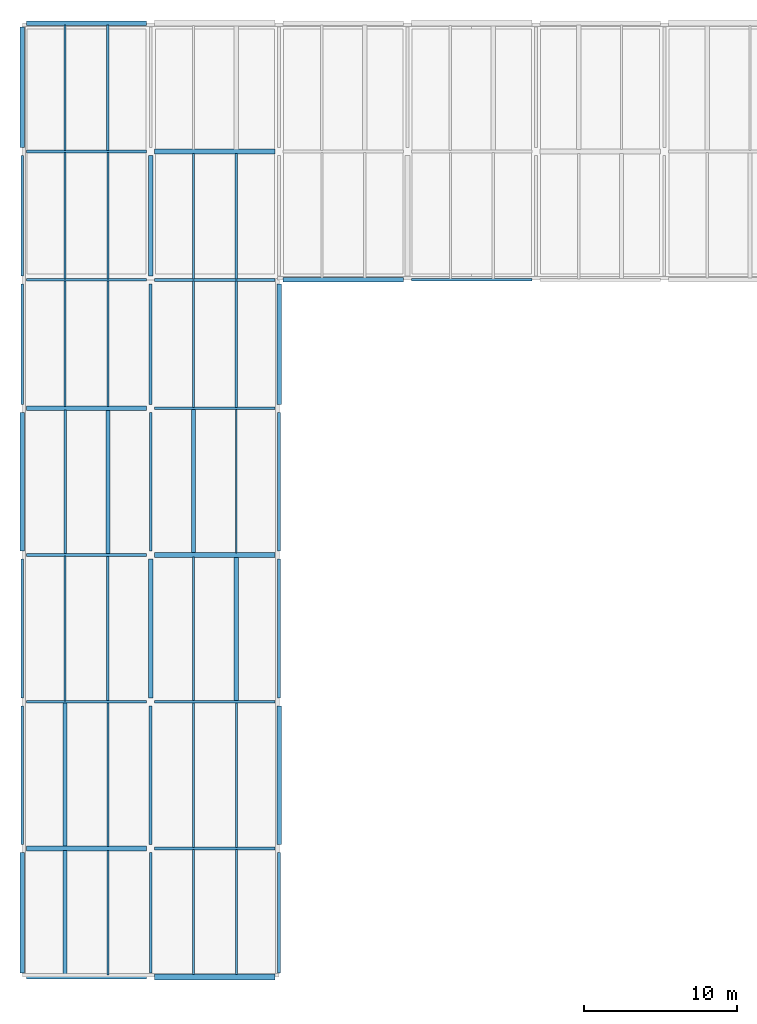
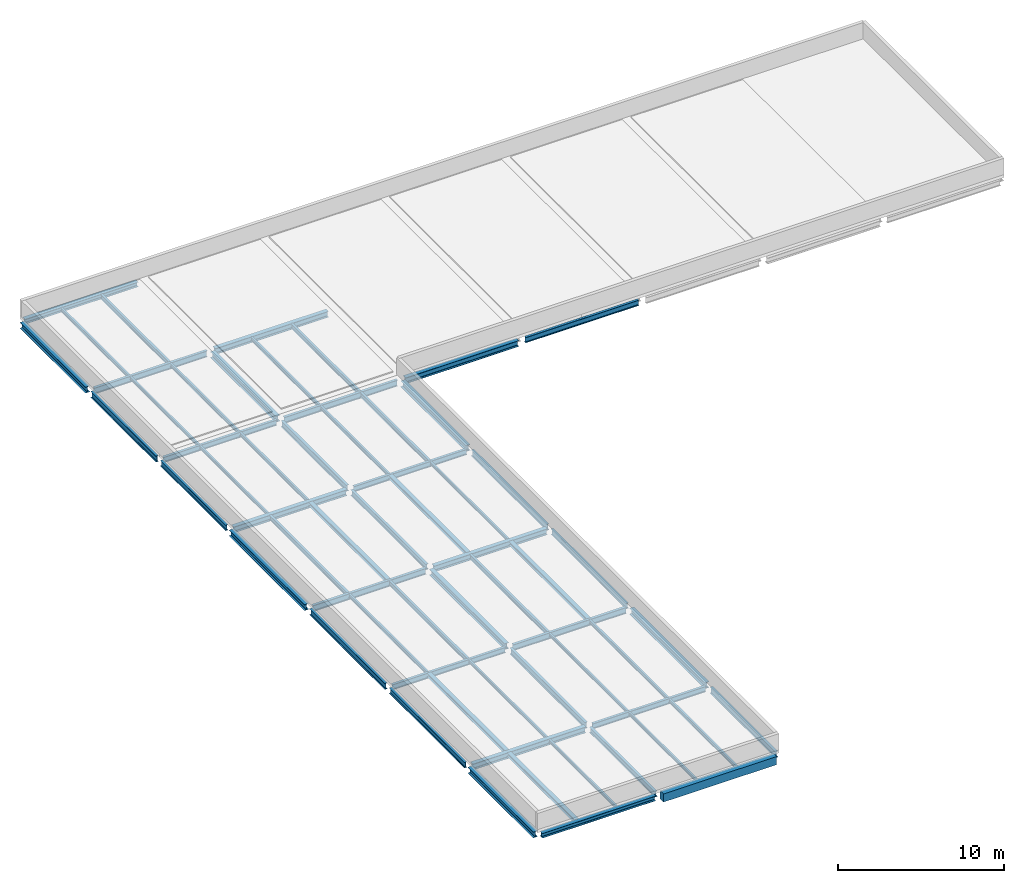
# One storey, part 1 of 3: 61 beams.
"""IFC4 building model written with IfcOpenShell, lengths in metres."""

from ifc_helpers import new_model, si_unit, direction, frame, origin, origin_2d, place, context, subcontext, project, spatial, rectangle, i_section, extrude, material, material_profile, profile_set, type_object, element, save


model = new_model("IFC4")

# Units and contexts
model_context = context("Model", 3, precision=1e-05, world=origin(), true_north=direction((0.0, 1.0)))
body_context = subcontext(model_context, "Body", "Model", "MODEL_VIEW")
ifc_project = project(units=[si_unit("LENGTHUNIT", "METRE"), si_unit("AREAUNIT", "SQUARE_METRE"), si_unit("VOLUMEUNIT", "CUBIC_METRE"), si_unit("PLANEANGLEUNIT", "RADIAN"), si_unit("MASSUNIT", "GRAM", prefix="KILO")], contexts=[model_context])

# Site, building, storey
site_placement = place(None, origin())
site = spatial("IfcSite", under=ifc_project, at=site_placement, CompositionType="ELEMENT")
building_placement = place(site_placement, origin())
building = spatial("IfcBuilding", under=site, at=building_placement, Name="Zulmaris Art Gallery", CompositionType="ELEMENT")
storey_placement = place(building_placement, frame((0.0, 0.0, 30.89990234375)))
storey = spatial("IfcBuildingStorey", under=building, at=storey_placement, Name="RF", CompositionType="ELEMENT", Elevation=30.89990234375)

# Beams
ifc_material_1 = material(Name="Steel S355J2", Category="steel")
ifc_material_profile_1 = material_profile(ifc_material_1, i_section(OverallWidth=0.179931640625, OverallDepth=0.39990234375, WebThickness=0.008544921875, FlangeThickness=0.013427734375, FilletRadius=0.02099609375, at=origin_2d()), Name="IPE 400")
ifc_profile_set_1 = profile_set([ifc_material_profile_1], Name="Steel S355J2")
beam_type_1 = type_object("IfcBeamType", Name="BEAM-BM03", PredefinedType="BEAM", material=ifc_profile_set_1)
for number, where, z_axis, x_axis, name in (
    (1, (150.260009765625, 21.60009765625, -0.489990234375), (1.0, 0.0, 0.0), (0.0, 1.0, 0.0), "RF X-girder (150.0..158.4, y=21.6)"),
    (2, (141.860107421875, 31.199951171875, -0.489990234375), (1.0, 0.0, 0.0), (0.0, 1.0, 0.0), "RF X-girder (141.6..150.0, y=31.2)"),
    (3, (150.260009765625, 50.39990234375, -0.489990234375), (1.0, 0.0, 0.0), (0.0, 1.0, 0.0), "RF X-girder (150.0..158.4, y=50.4)"),
    (4, (141.860107421875, 58.800048828125, -0.489990234375), (1.0, 0.0, 0.0), (0.0, 1.0, 0.0), "RF X-girder (141.6..150.0, y=58.8)"),
    (5, (167.06005859375, 58.800048828125, -0.489990234375), (1.0, 0.0, 0.0), (0.0, 1.0, 0.0), "RF X-girder (166.8..175.2, y=58.8)"),
):
    element("IfcBeam", number, at=place(storey_placement, frame(where, z_axis=z_axis, x_axis=x_axis)), inside=storey, type_object=beam_type_1, Name=name, PredefinedType="BEAM", context=body_context, shape_type="SweptSolid", body=[
        extrude(i_section(OverallWidth=0.179931640625, OverallDepth=0.39990234375, WebThickness=0.008544921875, FlangeThickness=0.013427734375, FilletRadius=0.02099609375, at=origin_2d()), origin(), (0.0, 0.0, 1.0), 7.8798828125),
    ])
beam_1_placement = place(storey_placement, frame((141.60009765625, 21.860107421875, -0.489990234375), z_axis=(0.0, 1.0, 0.0), x_axis=(-1.0, 0.0, 0.0)))
element("IfcBeam", 6, at=beam_1_placement, inside=storey, type_object=beam_type_1, Name="RF Y-girder (x=141.6, 21.6..31.2)", PredefinedType="BEAM", context=body_context, shape_type="SweptSolid", body=[
    extrude(i_section(OverallWidth=0.179931640625, OverallDepth=0.39990234375, WebThickness=0.008544921875, FlangeThickness=0.013427734375, FilletRadius=0.02099609375, at=origin_2d()), origin(), (0.0, 0.0, 1.0), 9.079833984375),
])
for number, where, z_axis, x_axis, name in (
    (7, (141.60009765625, 50.659912109375, -0.489990234375), (0.0, 1.0, 0.0), (-1.0, 0.0, 0.0), "RF Y-girder (x=141.6, 50.4..58.8)"),
    (8, (150.0, 13.4599609375, -0.489990234375), (0.0, 1.0, 0.0), (-1.0, 0.0, 0.0), "RF Y-girder (x=150.0, 13.2..21.6)"),
):
    element("IfcBeam", number, at=place(storey_placement, frame(where, z_axis=z_axis, x_axis=x_axis)), inside=storey, type_object=beam_type_1, Name=name, PredefinedType="BEAM", context=body_context, shape_type="SweptSolid", body=[
        extrude(i_section(OverallWidth=0.179931640625, OverallDepth=0.39990234375, WebThickness=0.008544921875, FlangeThickness=0.013427734375, FilletRadius=0.02099609375, at=origin_2d()), origin(), (0.0, 0.0, 1.0), 7.880126953125),
    ])
beam_2_placement = place(storey_placement, frame((150.0, 41.06005859375, -0.489990234375), z_axis=(0.0, 1.0, 0.0), x_axis=(-1.0, 0.0, 0.0)))
element("IfcBeam", 9, at=beam_2_placement, inside=storey, type_object=beam_type_1, Name="RF Y-girder (x=150.0, 40.8..50.4)", PredefinedType="BEAM", context=body_context, shape_type="SweptSolid", body=[
    extrude(i_section(OverallWidth=0.179931640625, OverallDepth=0.39990234375, WebThickness=0.008544921875, FlangeThickness=0.013427734375, FilletRadius=0.02099609375, at=origin_2d()), origin(), (0.0, 0.0, 1.0), 9.079833984375),
])
beam_3_placement = place(storey_placement, frame((158.39990234375, 31.4599609375, -0.489990234375), z_axis=(0.0, 1.0, 0.0), x_axis=(-1.0, 0.0, 0.0)))
element("IfcBeam", 10, at=beam_3_placement, inside=storey, type_object=beam_type_1, Name="RF Y-girder (x=158.4, 31.2..40.8)", PredefinedType="BEAM", context=body_context, shape_type="SweptSolid", body=[
    extrude(i_section(OverallWidth=0.179931640625, OverallDepth=0.39990234375, WebThickness=0.008544921875, FlangeThickness=0.013427734375, FilletRadius=0.02099609375, at=origin_2d()), origin(), (0.0, 0.0, 1.0), 9.080078125),
])
ifc_material_profile_2 = material_profile(ifc_material_1, i_section(OverallWidth=0.18994140625, OverallDepth=0.449951171875, WebThickness=0.009521484375, FlangeThickness=0.0146484375, FilletRadius=0.02099609375, at=origin_2d()), Name="IPE 450")
ifc_profile_set_2 = profile_set([ifc_material_profile_2], Name="Steel S355J2")
beam_type_2 = type_object("IfcBeamType", Name="BEAM-BM04", PredefinedType="BEAM", material=ifc_profile_set_2)
for number, where, z_axis, x_axis, name in (
    (11, (150.260009765625, 31.199951171875, -0.514892578125), (1.0, 0.0, 0.0), (0.0, 1.0, 0.0), "RF X-girder (150.0..158.4, y=31.2)"),
    (12, (141.860107421875, 40.800048828125, -0.514892578125), (1.0, 0.0, 0.0), (0.0, 1.0, 0.0), "RF X-girder (141.6..150.0, y=40.8)"),
    (13, (150.260009765625, 58.800048828125, -0.514892578125), (1.0, 0.0, 0.0), (0.0, 1.0, 0.0), "RF X-girder (150.0..158.4, y=58.8)"),
    (14, (141.860107421875, 67.199951171875, -0.514892578125), (1.0, 0.0, 0.0), (0.0, 1.0, 0.0), "RF X-girder (141.6..150.0, y=67.2)"),
):
    element("IfcBeam", number, at=place(storey_placement, frame(where, z_axis=z_axis, x_axis=x_axis)), inside=storey, type_object=beam_type_2, Name=name, PredefinedType="BEAM", context=body_context, shape_type="SweptSolid", body=[
        extrude(i_section(OverallWidth=0.18994140625, OverallDepth=0.449951171875, WebThickness=0.009521484375, FlangeThickness=0.0146484375, FilletRadius=0.02099609375, at=origin_2d()), origin(), (0.0, 0.0, 1.0), 7.8798828125),
    ])
beam_4_placement = place(storey_placement, frame((141.60009765625, 31.4599609375, -0.514892578125), z_axis=(0.0, 1.0, 0.0), x_axis=(-1.0, 0.0, 0.0)))
element("IfcBeam", 15, at=beam_4_placement, inside=storey, type_object=beam_type_2, Name="RF Y-girder (x=141.6, 31.2..40.8)", PredefinedType="BEAM", context=body_context, shape_type="SweptSolid", body=[
    extrude(i_section(OverallWidth=0.18994140625, OverallDepth=0.449951171875, WebThickness=0.009521484375, FlangeThickness=0.0146484375, FilletRadius=0.02099609375, at=origin_2d()), origin(), (0.0, 0.0, 1.0), 9.080078125),
])
beam_5_placement = place(storey_placement, frame((141.60009765625, 59.06005859375, -0.514892578125), z_axis=(0.0, 1.0, 0.0), x_axis=(-1.0, 0.0, 0.0)))
element("IfcBeam", 16, at=beam_5_placement, inside=storey, type_object=beam_type_2, Name="RF Y-girder (x=141.6, 58.8..67.2)", PredefinedType="BEAM", context=body_context, shape_type="SweptSolid", body=[
    extrude(i_section(OverallWidth=0.18994140625, OverallDepth=0.449951171875, WebThickness=0.009521484375, FlangeThickness=0.0146484375, FilletRadius=0.02099609375, at=origin_2d()), origin(), (0.0, 0.0, 1.0), 7.8798828125),
])
beam_6_placement = place(storey_placement, frame((150.0, 21.860107421875, -0.514892578125), z_axis=(0.0, 1.0, 0.0), x_axis=(-1.0, 0.0, 0.0)))
element("IfcBeam", 17, at=beam_6_placement, inside=storey, type_object=beam_type_2, Name="RF Y-girder (x=150.0, 21.6..31.2)", PredefinedType="BEAM", context=body_context, shape_type="SweptSolid", body=[
    extrude(i_section(OverallWidth=0.18994140625, OverallDepth=0.449951171875, WebThickness=0.009521484375, FlangeThickness=0.0146484375, FilletRadius=0.02099609375, at=origin_2d()), origin(), (0.0, 0.0, 1.0), 9.079833984375),
])
for number, where, z_axis, x_axis, name in (
    (18, (150.0, 50.659912109375, -0.514892578125), (0.0, 1.0, 0.0), (-1.0, 0.0, 0.0), "RF Y-girder (x=150.0, 50.4..58.8)"),
    (19, (158.39990234375, 13.4599609375, -0.514892578125), (0.0, 1.0, 0.0), (-1.0, 0.0, 0.0), "RF Y-girder (x=158.4, 13.2..21.6)"),
):
    element("IfcBeam", number, at=place(storey_placement, frame(where, z_axis=z_axis, x_axis=x_axis)), inside=storey, type_object=beam_type_2, Name=name, PredefinedType="BEAM", context=body_context, shape_type="SweptSolid", body=[
        extrude(i_section(OverallWidth=0.18994140625, OverallDepth=0.449951171875, WebThickness=0.009521484375, FlangeThickness=0.0146484375, FilletRadius=0.02099609375, at=origin_2d()), origin(), (0.0, 0.0, 1.0), 7.880126953125),
    ])
beam_7_placement = place(storey_placement, frame((158.39990234375, 41.06005859375, -0.514892578125), z_axis=(0.0, 1.0, 0.0), x_axis=(-1.0, 0.0, 0.0)))
element("IfcBeam", 20, at=beam_7_placement, inside=storey, type_object=beam_type_2, Name="RF Y-girder (x=158.4, 40.8..50.4)", PredefinedType="BEAM", context=body_context, shape_type="SweptSolid", body=[
    extrude(i_section(OverallWidth=0.18994140625, OverallDepth=0.449951171875, WebThickness=0.009521484375, FlangeThickness=0.0146484375, FilletRadius=0.02099609375, at=origin_2d()), origin(), (0.0, 0.0, 1.0), 9.079833984375),
])
ifc_material_profile_3 = material_profile(ifc_material_1, i_section(OverallWidth=0.300048828125, OverallDepth=0.43994140625, WebThickness=0.011474609375, FlangeThickness=0.02099609375, FilletRadius=0.027099609375, at=origin_2d()), Name="HEA 450")
ifc_profile_set_3 = profile_set([ifc_material_profile_3], Name="Steel S355J2")
beam_type_3 = type_object("IfcBeamType", Name="BEAM-BM10", PredefinedType="BEAM", material=ifc_profile_set_3)
for number, where, z_axis, x_axis, name in (
    (21, (141.860107421875, 21.60009765625, -0.510009765625), (1.0, 0.0, 0.0), (0.0, 1.0, 0.0), "RF X-girder (141.6..150.0, y=21.6)"),
    (22, (150.260009765625, 40.800048828125, -0.510009765625), (1.0, 0.0, 0.0), (0.0, 1.0, 0.0), "RF X-girder (150.0..158.4, y=40.8)"),
    (23, (141.860107421875, 50.39990234375, -0.510009765625), (1.0, 0.0, 0.0), (0.0, 1.0, 0.0), "RF X-girder (141.6..150.0, y=50.4)"),
):
    element("IfcBeam", number, at=place(storey_placement, frame(where, z_axis=z_axis, x_axis=x_axis)), inside=storey, type_object=beam_type_3, Name=name, PredefinedType="BEAM", context=body_context, shape_type="SweptSolid", body=[
        extrude(i_section(OverallWidth=0.300048828125, OverallDepth=0.43994140625, WebThickness=0.011474609375, FlangeThickness=0.02099609375, FilletRadius=0.027099609375, at=origin_2d()), origin(), (0.0, 0.0, 1.0), 7.8798828125),
    ])
beam_8_placement = place(storey_placement, frame((158.659912109375, 58.800048828125, -0.510009765625), z_axis=(1.0, 0.0, 0.0), x_axis=(0.0, 1.0, 0.0)))
element("IfcBeam", 24, at=beam_8_placement, inside=storey, type_object=beam_type_3, Name="RF X-girder (158.4..166.8, y=58.8)", PredefinedType="BEAM", context=body_context, shape_type="SweptSolid", body=[
    extrude(i_section(OverallWidth=0.300048828125, OverallDepth=0.43994140625, WebThickness=0.011474609375, FlangeThickness=0.02099609375, FilletRadius=0.027099609375, at=origin_2d()), origin(), (0.0, 0.0, 1.0), 7.880126953125),
])
beam_9_placement = place(storey_placement, frame((150.260009765625, 67.199951171875, -0.510009765625), z_axis=(1.0, 0.0, 0.0), x_axis=(0.0, 1.0, 0.0)))
element("IfcBeam", 25, at=beam_9_placement, inside=storey, type_object=beam_type_3, Name="RF X-girder (150.0..158.4, y=67.2)", PredefinedType="BEAM", context=body_context, shape_type="SweptSolid", body=[
    extrude(i_section(OverallWidth=0.300048828125, OverallDepth=0.43994140625, WebThickness=0.011474609375, FlangeThickness=0.02099609375, FilletRadius=0.027099609375, at=origin_2d()), origin(), (0.0, 0.0, 1.0), 7.8798828125),
])
beam_10_placement = place(storey_placement, frame((141.60009765625, 13.4599609375, -0.510009765625), z_axis=(0.0, 1.0, 0.0), x_axis=(-1.0, 0.0, 0.0)))
element("IfcBeam", 26, at=beam_10_placement, inside=storey, type_object=beam_type_3, Name="RF Y-girder (x=141.6, 13.2..21.6)", PredefinedType="BEAM", context=body_context, shape_type="SweptSolid", body=[
    extrude(i_section(OverallWidth=0.300048828125, OverallDepth=0.43994140625, WebThickness=0.011474609375, FlangeThickness=0.02099609375, FilletRadius=0.027099609375, at=origin_2d()), origin(), (0.0, 0.0, 1.0), 7.880126953125),
])
beam_11_placement = place(storey_placement, frame((141.60009765625, 41.06005859375, -0.510009765625), z_axis=(0.0, 1.0, 0.0), x_axis=(-1.0, 0.0, 0.0)))
element("IfcBeam", 27, at=beam_11_placement, inside=storey, type_object=beam_type_3, Name="RF Y-girder (x=141.6, 40.8..50.4)", PredefinedType="BEAM", context=body_context, shape_type="SweptSolid", body=[
    extrude(i_section(OverallWidth=0.300048828125, OverallDepth=0.43994140625, WebThickness=0.011474609375, FlangeThickness=0.02099609375, FilletRadius=0.027099609375, at=origin_2d()), origin(), (0.0, 0.0, 1.0), 9.079833984375),
])
beam_12_placement = place(storey_placement, frame((141.60009765625, 67.4599609375, -0.510009765625), z_axis=(0.0, 1.0, 0.0), x_axis=(-1.0, 0.0, 0.0)))
element("IfcBeam", 28, at=beam_12_placement, inside=storey, type_object=beam_type_3, Name="RF Y-girder (x=141.6, 67.2..75.6)", PredefinedType="BEAM", context=body_context, shape_type="SweptSolid", body=[
    extrude(i_section(OverallWidth=0.300048828125, OverallDepth=0.43994140625, WebThickness=0.011474609375, FlangeThickness=0.02099609375, FilletRadius=0.027099609375, at=origin_2d()), origin(), (0.0, 0.0, 1.0), 7.880126953125),
])
beam_13_placement = place(storey_placement, frame((150.0, 31.4599609375, -0.510009765625), z_axis=(0.0, 1.0, 0.0), x_axis=(-1.0, 0.0, 0.0)))
element("IfcBeam", 29, at=beam_13_placement, inside=storey, type_object=beam_type_3, Name="RF Y-girder (x=150.0, 31.2..40.8)", PredefinedType="BEAM", context=body_context, shape_type="SweptSolid", body=[
    extrude(i_section(OverallWidth=0.300048828125, OverallDepth=0.43994140625, WebThickness=0.011474609375, FlangeThickness=0.02099609375, FilletRadius=0.027099609375, at=origin_2d()), origin(), (0.0, 0.0, 1.0), 9.080078125),
])
beam_14_placement = place(storey_placement, frame((150.0, 59.06005859375, -0.510009765625), z_axis=(0.0, 1.0, 0.0), x_axis=(-1.0, 0.0, 0.0)))
element("IfcBeam", 30, at=beam_14_placement, inside=storey, type_object=beam_type_3, Name="RF Y-girder (x=150.0, 58.8..67.2)", PredefinedType="BEAM", context=body_context, shape_type="SweptSolid", body=[
    extrude(i_section(OverallWidth=0.300048828125, OverallDepth=0.43994140625, WebThickness=0.011474609375, FlangeThickness=0.02099609375, FilletRadius=0.027099609375, at=origin_2d()), origin(), (0.0, 0.0, 1.0), 7.8798828125),
])
beam_15_placement = place(storey_placement, frame((158.39990234375, 21.860107421875, -0.510009765625), z_axis=(0.0, 1.0, 0.0), x_axis=(-1.0, 0.0, 0.0)))
element("IfcBeam", 31, at=beam_15_placement, inside=storey, type_object=beam_type_3, Name="RF Y-girder (x=158.4, 21.6..31.2)", PredefinedType="BEAM", context=body_context, shape_type="SweptSolid", body=[
    extrude(i_section(OverallWidth=0.300048828125, OverallDepth=0.43994140625, WebThickness=0.011474609375, FlangeThickness=0.02099609375, FilletRadius=0.027099609375, at=origin_2d()), origin(), (0.0, 0.0, 1.0), 9.079833984375),
])
beam_16_placement = place(storey_placement, frame((158.39990234375, 50.659912109375, -0.510009765625), z_axis=(0.0, 1.0, 0.0), x_axis=(-1.0, 0.0, 0.0)))
element("IfcBeam", 32, at=beam_16_placement, inside=storey, type_object=beam_type_3, Name="RF Y-girder (x=158.4, 50.4..58.8)", PredefinedType="BEAM", context=body_context, shape_type="SweptSolid", body=[
    extrude(i_section(OverallWidth=0.300048828125, OverallDepth=0.43994140625, WebThickness=0.011474609375, FlangeThickness=0.02099609375, FilletRadius=0.027099609375, at=origin_2d()), origin(), (0.0, 0.0, 1.0), 7.880126953125),
])
ifc_material_profile_4 = material_profile(ifc_material_1, i_section(OverallWidth=0.1201171875, OverallDepth=0.239990234375, WebThickness=0.006103515625, FlangeThickness=0.009765625, FilletRadius=0.014892578125, at=origin_2d()), Name="IPE 240")
ifc_profile_set_4 = profile_set([ifc_material_profile_4], Name="Steel S355J2")
beam_type_4 = type_object("IfcBeamType", Name="BEAM-JS01", PredefinedType="JOIST", material=ifc_profile_set_4)
beam_17_placement = place(storey_placement, frame((147.199951171875, 13.324951171875, -0.409912109375), z_axis=(0.0, 1.0, 0.0), x_axis=(-1.0, 0.0, 0.0)))
element("IfcBeam", 33, at=beam_17_placement, inside=storey, type_object=beam_type_4, Name="RF secondary joist at x=147.2", PredefinedType="JOIST", context=body_context, shape_type="SweptSolid", body=[
    extrude(i_section(OverallWidth=0.1201171875, OverallDepth=0.239990234375, WebThickness=0.006103515625, FlangeThickness=0.009765625, FilletRadius=0.014892578125, at=origin_2d()), origin(), (0.0, 0.0, 1.0), 8.150146484375),
])
beam_18_placement = place(storey_placement, frame((147.199951171875, 21.72509765625, -0.409912109375), z_axis=(0.0, 1.0, 0.0), x_axis=(-1.0, 0.0, 0.0)))
element("IfcBeam", 34, at=beam_18_placement, inside=storey, type_object=beam_type_4, Name="RF secondary joist at x=147.2", PredefinedType="JOIST", context=body_context, shape_type="SweptSolid", body=[
    extrude(i_section(OverallWidth=0.1201171875, OverallDepth=0.239990234375, WebThickness=0.006103515625, FlangeThickness=0.009765625, FilletRadius=0.014892578125, at=origin_2d()), origin(), (0.0, 0.0, 1.0), 9.409912109375),
])
beam_19_placement = place(storey_placement, frame((144.39990234375, 50.52490234375, -0.409912109375), z_axis=(0.0, 1.0, 0.0), x_axis=(-1.0, 0.0, 0.0)))
element("IfcBeam", 35, at=beam_19_placement, inside=storey, type_object=beam_type_4, Name="RF secondary joist at x=144.4", PredefinedType="JOIST", context=body_context, shape_type="SweptSolid", body=[
    extrude(i_section(OverallWidth=0.1201171875, OverallDepth=0.239990234375, WebThickness=0.006103515625, FlangeThickness=0.009765625, FilletRadius=0.014892578125, at=origin_2d()), origin(), (0.0, 0.0, 1.0), 8.210205078125),
])
beam_20_placement = place(storey_placement, frame((144.39990234375, 58.864990234375, -0.409912109375), z_axis=(0.0, 1.0, 0.0), x_axis=(-1.0, 0.0, 0.0)))
element("IfcBeam", 36, at=beam_20_placement, inside=storey, type_object=beam_type_4, Name="RF secondary joist at x=144.4", PredefinedType="JOIST", context=body_context, shape_type="SweptSolid", body=[
    extrude(i_section(OverallWidth=0.1201171875, OverallDepth=0.239990234375, WebThickness=0.006103515625, FlangeThickness=0.009765625, FilletRadius=0.014892578125, at=origin_2d()), origin(), (0.0, 0.0, 1.0), 8.264892578125),
])
beam_21_placement = place(storey_placement, frame((152.800048828125, 13.375, -0.409912109375), z_axis=(0.0, 1.0, 0.0), x_axis=(-1.0, 0.0, 0.0)))
element("IfcBeam", 37, at=beam_21_placement, inside=storey, type_object=beam_type_4, Name="RF secondary joist at x=152.8", PredefinedType="JOIST", context=body_context, shape_type="SweptSolid", body=[
    extrude(i_section(OverallWidth=0.1201171875, OverallDepth=0.239990234375, WebThickness=0.006103515625, FlangeThickness=0.009765625, FilletRadius=0.014892578125, at=origin_2d()), origin(), (0.0, 0.0, 1.0), 8.159912109375),
])
beam_22_placement = place(storey_placement, frame((152.800048828125, 21.6650390625, -0.409912109375), z_axis=(0.0, 1.0, 0.0), x_axis=(-1.0, 0.0, 0.0)))
element("IfcBeam", 38, at=beam_22_placement, inside=storey, type_object=beam_type_4, Name="RF secondary joist at x=152.8", PredefinedType="JOIST", context=body_context, shape_type="SweptSolid", body=[
    extrude(i_section(OverallWidth=0.1201171875, OverallDepth=0.239990234375, WebThickness=0.006103515625, FlangeThickness=0.009765625, FilletRadius=0.014892578125, at=origin_2d()), origin(), (0.0, 0.0, 1.0), 9.46484375),
])
beam_23_placement = place(storey_placement, frame((155.60009765625, 40.925048828125, -0.409912109375), z_axis=(0.0, 1.0, 0.0), x_axis=(-1.0, 0.0, 0.0)))
element("IfcBeam", 39, at=beam_23_placement, inside=storey, type_object=beam_type_4, Name="RF secondary joist at x=155.6", PredefinedType="JOIST", context=body_context, shape_type="SweptSolid", body=[
    extrude(i_section(OverallWidth=0.1201171875, OverallDepth=0.239990234375, WebThickness=0.006103515625, FlangeThickness=0.009765625, FilletRadius=0.014892578125, at=origin_2d()), origin(), (0.0, 0.0, 1.0), 9.409912109375),
])
ifc_material_profile_5 = material_profile(ifc_material_1, i_section(OverallWidth=0.135009765625, OverallDepth=0.27001953125, WebThickness=0.006591796875, FlangeThickness=0.01025390625, FilletRadius=0.014892578125, at=origin_2d()), Name="IPE 270")
ifc_profile_set_5 = profile_set([ifc_material_profile_5], Name="Steel S355J2")
beam_type_5 = type_object("IfcBeamType", Name="BEAM-JS02", PredefinedType="JOIST", material=ifc_profile_set_5)
beam_24_placement = place(storey_placement, frame((144.39990234375, 31.264892578125, -0.4248046875), z_axis=(0.0, 1.0, 0.0), x_axis=(-1.0, 0.0, 0.0)))
element("IfcBeam", 40, at=beam_24_placement, inside=storey, type_object=beam_type_5, Name="RF secondary joist at x=144.4", PredefinedType="JOIST", context=body_context, shape_type="SweptSolid", body=[
    extrude(i_section(OverallWidth=0.135009765625, OverallDepth=0.27001953125, WebThickness=0.006591796875, FlangeThickness=0.01025390625, FilletRadius=0.014892578125, at=origin_2d()), origin(), (0.0, 0.0, 1.0), 9.465087890625),
])
beam_25_placement = place(storey_placement, frame((147.199951171875, 50.52490234375, -0.4248046875), z_axis=(0.0, 1.0, 0.0), x_axis=(-1.0, 0.0, 0.0)))
element("IfcBeam", 41, at=beam_25_placement, inside=storey, type_object=beam_type_5, Name="RF secondary joist at x=147.2", PredefinedType="JOIST", context=body_context, shape_type="SweptSolid", body=[
    extrude(i_section(OverallWidth=0.135009765625, OverallDepth=0.27001953125, WebThickness=0.006591796875, FlangeThickness=0.01025390625, FilletRadius=0.014892578125, at=origin_2d()), origin(), (0.0, 0.0, 1.0), 8.210205078125),
])
beam_26_placement = place(storey_placement, frame((147.199951171875, 58.864990234375, -0.4248046875), z_axis=(0.0, 1.0, 0.0), x_axis=(-1.0, 0.0, 0.0)))
element("IfcBeam", 42, at=beam_26_placement, inside=storey, type_object=beam_type_5, Name="RF secondary joist at x=147.2", PredefinedType="JOIST", context=body_context, shape_type="SweptSolid", body=[
    extrude(i_section(OverallWidth=0.135009765625, OverallDepth=0.27001953125, WebThickness=0.006591796875, FlangeThickness=0.01025390625, FilletRadius=0.014892578125, at=origin_2d()), origin(), (0.0, 0.0, 1.0), 8.264892578125),
])
beam_27_placement = place(storey_placement, frame((144.39990234375, 67.27001953125, -0.4248046875), z_axis=(0.0, 1.0, 0.0), x_axis=(-1.0, 0.0, 0.0)))
element("IfcBeam", 43, at=beam_27_placement, inside=storey, type_object=beam_type_5, Name="RF secondary joist at x=144.4", PredefinedType="JOIST", context=body_context, shape_type="SweptSolid", body=[
    extrude(i_section(OverallWidth=0.135009765625, OverallDepth=0.27001953125, WebThickness=0.006591796875, FlangeThickness=0.01025390625, FilletRadius=0.014892578125, at=origin_2d()), origin(), (0.0, 0.0, 1.0), 8.205078125),
])
beam_28_placement = place(storey_placement, frame((155.60009765625, 13.375, -0.4248046875), z_axis=(0.0, 1.0, 0.0), x_axis=(-1.0, 0.0, 0.0)))
element("IfcBeam", 44, at=beam_28_placement, inside=storey, type_object=beam_type_5, Name="RF secondary joist at x=155.6", PredefinedType="JOIST", context=body_context, shape_type="SweptSolid", body=[
    extrude(i_section(OverallWidth=0.135009765625, OverallDepth=0.27001953125, WebThickness=0.006591796875, FlangeThickness=0.01025390625, FilletRadius=0.014892578125, at=origin_2d()), origin(), (0.0, 0.0, 1.0), 8.159912109375),
])
beam_29_placement = place(storey_placement, frame((155.60009765625, 21.6650390625, -0.4248046875), z_axis=(0.0, 1.0, 0.0), x_axis=(-1.0, 0.0, 0.0)))
element("IfcBeam", 45, at=beam_29_placement, inside=storey, type_object=beam_type_5, Name="RF secondary joist at x=155.6", PredefinedType="JOIST", context=body_context, shape_type="SweptSolid", body=[
    extrude(i_section(OverallWidth=0.135009765625, OverallDepth=0.27001953125, WebThickness=0.006591796875, FlangeThickness=0.01025390625, FilletRadius=0.014892578125, at=origin_2d()), origin(), (0.0, 0.0, 1.0), 9.46484375),
])
beam_30_placement = place(storey_placement, frame((152.800048828125, 50.465087890625, -0.4248046875), z_axis=(0.0, 1.0, 0.0), x_axis=(-1.0, 0.0, 0.0)))
element("IfcBeam", 46, at=beam_30_placement, inside=storey, type_object=beam_type_5, Name="RF secondary joist at x=152.8", PredefinedType="JOIST", context=body_context, shape_type="SweptSolid", body=[
    extrude(i_section(OverallWidth=0.135009765625, OverallDepth=0.27001953125, WebThickness=0.006591796875, FlangeThickness=0.01025390625, FilletRadius=0.014892578125, at=origin_2d()), origin(), (0.0, 0.0, 1.0), 8.264892578125),
])
beam_31_placement = place(storey_placement, frame((152.800048828125, 58.8701171875, -0.4248046875), z_axis=(0.0, 1.0, 0.0), x_axis=(-1.0, 0.0, 0.0)))
element("IfcBeam", 47, at=beam_31_placement, inside=storey, type_object=beam_type_5, Name="RF secondary joist at x=152.8", PredefinedType="JOIST", context=body_context, shape_type="SweptSolid", body=[
    extrude(i_section(OverallWidth=0.135009765625, OverallDepth=0.27001953125, WebThickness=0.006591796875, FlangeThickness=0.01025390625, FilletRadius=0.014892578125, at=origin_2d()), origin(), (0.0, 0.0, 1.0), 8.204833984375),
])
ifc_material_profile_6 = material_profile(ifc_material_1, i_section(OverallWidth=0.159912109375, OverallDepth=0.330078125, WebThickness=0.007568359375, FlangeThickness=0.011474609375, FilletRadius=0.01806640625, at=origin_2d()), Name="IPE 330")
ifc_profile_set_6 = profile_set([ifc_material_profile_6], Name="Steel S355J2")
beam_type_6 = type_object("IfcBeamType", Name="BEAM-JS03", PredefinedType="JOIST", material=ifc_profile_set_6)
beam_32_placement = place(storey_placement, frame((147.199951171875, 31.264892578125, -0.454833984375), z_axis=(0.0, 1.0, 0.0), x_axis=(-1.0, 0.0, 0.0)))
element("IfcBeam", 48, at=beam_32_placement, inside=storey, type_object=beam_type_6, Name="RF secondary joist at x=147.2", PredefinedType="JOIST", context=body_context, shape_type="SweptSolid", body=[
    extrude(i_section(OverallWidth=0.159912109375, OverallDepth=0.330078125, WebThickness=0.007568359375, FlangeThickness=0.011474609375, FilletRadius=0.01806640625, at=origin_2d()), origin(), (0.0, 0.0, 1.0), 9.465087890625),
])
beam_33_placement = place(storey_placement, frame((144.39990234375, 40.8701171875, -0.454833984375), z_axis=(0.0, 1.0, 0.0), x_axis=(-1.0, 0.0, 0.0)))
element("IfcBeam", 49, at=beam_33_placement, inside=storey, type_object=beam_type_6, Name="RF secondary joist at x=144.4", PredefinedType="JOIST", context=body_context, shape_type="SweptSolid", body=[
    extrude(i_section(OverallWidth=0.159912109375, OverallDepth=0.330078125, WebThickness=0.007568359375, FlangeThickness=0.011474609375, FilletRadius=0.01806640625, at=origin_2d()), origin(), (0.0, 0.0, 1.0), 9.40478515625),
])
beam_34_placement = place(storey_placement, frame((147.199951171875, 67.27001953125, -0.454833984375), z_axis=(0.0, 1.0, 0.0), x_axis=(-1.0, 0.0, 0.0)))
element("IfcBeam", 50, at=beam_34_placement, inside=storey, type_object=beam_type_6, Name="RF secondary joist at x=147.2", PredefinedType="JOIST", context=body_context, shape_type="SweptSolid", body=[
    extrude(i_section(OverallWidth=0.159912109375, OverallDepth=0.330078125, WebThickness=0.007568359375, FlangeThickness=0.011474609375, FilletRadius=0.01806640625, at=origin_2d()), origin(), (0.0, 0.0, 1.0), 8.205078125),
])
beam_35_placement = place(storey_placement, frame((152.800048828125, 31.27001953125, -0.454833984375), z_axis=(0.0, 1.0, 0.0), x_axis=(-1.0, 0.0, 0.0)))
element("IfcBeam", 51, at=beam_35_placement, inside=storey, type_object=beam_type_6, Name="RF secondary joist at x=152.8", PredefinedType="JOIST", context=body_context, shape_type="SweptSolid", body=[
    extrude(i_section(OverallWidth=0.159912109375, OverallDepth=0.330078125, WebThickness=0.007568359375, FlangeThickness=0.011474609375, FilletRadius=0.01806640625, at=origin_2d()), origin(), (0.0, 0.0, 1.0), 9.405029296875),
])
beam_36_placement = place(storey_placement, frame((155.60009765625, 50.465087890625, -0.454833984375), z_axis=(0.0, 1.0, 0.0), x_axis=(-1.0, 0.0, 0.0)))
element("IfcBeam", 52, at=beam_36_placement, inside=storey, type_object=beam_type_6, Name="RF secondary joist at x=155.6", PredefinedType="JOIST", context=body_context, shape_type="SweptSolid", body=[
    extrude(i_section(OverallWidth=0.159912109375, OverallDepth=0.330078125, WebThickness=0.007568359375, FlangeThickness=0.011474609375, FilletRadius=0.01806640625, at=origin_2d()), origin(), (0.0, 0.0, 1.0), 8.264892578125),
])
beam_37_placement = place(storey_placement, frame((155.60009765625, 58.8701171875, -0.454833984375), z_axis=(0.0, 1.0, 0.0), x_axis=(-1.0, 0.0, 0.0)))
element("IfcBeam", 53, at=beam_37_placement, inside=storey, type_object=beam_type_6, Name="RF secondary joist at x=155.6", PredefinedType="JOIST", context=body_context, shape_type="SweptSolid", body=[
    extrude(i_section(OverallWidth=0.159912109375, OverallDepth=0.330078125, WebThickness=0.007568359375, FlangeThickness=0.011474609375, FilletRadius=0.01806640625, at=origin_2d()), origin(), (0.0, 0.0, 1.0), 8.204833984375),
])
ifc_material_profile_7 = material_profile(ifc_material_1, i_section(OverallWidth=0.280029296875, OverallDepth=0.27001953125, WebThickness=0.008056640625, FlangeThickness=0.012939453125, FilletRadius=0.02392578125, at=origin_2d()), Name="HEA 280")
ifc_profile_set_7 = profile_set([ifc_material_profile_7], Name="Steel S355J2")
beam_type_7 = type_object("IfcBeamType", Name="BEAM-JS04", PredefinedType="JOIST", material=ifc_profile_set_7)
beam_38_placement = place(storey_placement, frame((144.39990234375, 13.324951171875, -0.4248046875), z_axis=(0.0, 1.0, 0.0), x_axis=(-1.0, 0.0, 0.0)))
element("IfcBeam", 54, at=beam_38_placement, inside=storey, type_object=beam_type_7, Name="RF secondary joist at x=144.4", PredefinedType="JOIST", context=body_context, shape_type="SweptSolid", body=[
    extrude(i_section(OverallWidth=0.280029296875, OverallDepth=0.27001953125, WebThickness=0.008056640625, FlangeThickness=0.012939453125, FilletRadius=0.02392578125, at=origin_2d()), origin(), (0.0, 0.0, 1.0), 8.150146484375),
])
beam_39_placement = place(storey_placement, frame((144.39990234375, 21.72509765625, -0.4248046875), z_axis=(0.0, 1.0, 0.0), x_axis=(-1.0, 0.0, 0.0)))
element("IfcBeam", 55, at=beam_39_placement, inside=storey, type_object=beam_type_7, Name="RF secondary joist at x=144.4", PredefinedType="JOIST", context=body_context, shape_type="SweptSolid", body=[
    extrude(i_section(OverallWidth=0.280029296875, OverallDepth=0.27001953125, WebThickness=0.008056640625, FlangeThickness=0.012939453125, FilletRadius=0.02392578125, at=origin_2d()), origin(), (0.0, 0.0, 1.0), 9.409912109375),
])
beam_40_placement = place(storey_placement, frame((147.199951171875, 40.8701171875, -0.4248046875), z_axis=(0.0, 1.0, 0.0), x_axis=(-1.0, 0.0, 0.0)))
element("IfcBeam", 56, at=beam_40_placement, inside=storey, type_object=beam_type_7, Name="RF secondary joist at x=147.2", PredefinedType="JOIST", context=body_context, shape_type="SweptSolid", body=[
    extrude(i_section(OverallWidth=0.280029296875, OverallDepth=0.27001953125, WebThickness=0.008056640625, FlangeThickness=0.012939453125, FilletRadius=0.02392578125, at=origin_2d()), origin(), (0.0, 0.0, 1.0), 9.40478515625),
])
beam_41_placement = place(storey_placement, frame((155.60009765625, 31.27001953125, -0.4248046875), z_axis=(0.0, 1.0, 0.0), x_axis=(-1.0, 0.0, 0.0)))
element("IfcBeam", 57, at=beam_41_placement, inside=storey, type_object=beam_type_7, Name="RF secondary joist at x=155.6", PredefinedType="JOIST", context=body_context, shape_type="SweptSolid", body=[
    extrude(i_section(OverallWidth=0.280029296875, OverallDepth=0.27001953125, WebThickness=0.008056640625, FlangeThickness=0.012939453125, FilletRadius=0.02392578125, at=origin_2d()), origin(), (0.0, 0.0, 1.0), 9.405029296875),
])
beam_42_placement = place(storey_placement, frame((152.800048828125, 40.925048828125, -0.4248046875), z_axis=(0.0, 1.0, 0.0), x_axis=(-1.0, 0.0, 0.0)))
element("IfcBeam", 58, at=beam_42_placement, inside=storey, type_object=beam_type_7, Name="RF secondary joist at x=152.8", PredefinedType="JOIST", context=body_context, shape_type="SweptSolid", body=[
    extrude(i_section(OverallWidth=0.280029296875, OverallDepth=0.27001953125, WebThickness=0.008056640625, FlangeThickness=0.012939453125, FilletRadius=0.02392578125, at=origin_2d()), origin(), (0.0, 0.0, 1.0), 9.409912109375),
])
ifc_material_profile_8 = material_profile(ifc_material_1, i_section(OverallWidth=0.300048828125, OverallDepth=0.35009765625, WebThickness=0.010009765625, FlangeThickness=0.017578125, FilletRadius=0.027099609375, at=origin_2d()), Name="HEA 360")
ifc_profile_set_8 = profile_set([ifc_material_profile_8], Name="Steel S355J2")
beam_type_8 = type_object("IfcBeamType", Name="BEAM-SP01", PredefinedType="SPANDREL", material=ifc_profile_set_8)
for number, where, z_axis, x_axis, name in (
    (59, (141.860107421875, 13.199951171875, -0.46484375), (1.0, 0.0, 0.0), (0.0, 1.0, 0.0), "RF X-girder (141.6..150.0, y=13.2)"),
    (60, (141.860107421875, 75.60009765625, -0.46484375), (1.0, 0.0, 0.0), (0.0, 1.0, 0.0), "RF X-girder (141.6..150.0, y=75.6)"),
):
    element("IfcBeam", number, at=place(storey_placement, frame(where, z_axis=z_axis, x_axis=x_axis)), inside=storey, type_object=beam_type_8, Name=name, PredefinedType="SPANDREL", context=body_context, shape_type="SweptSolid", body=[
        extrude(i_section(OverallWidth=0.300048828125, OverallDepth=0.35009765625, WebThickness=0.010009765625, FlangeThickness=0.017578125, FilletRadius=0.027099609375, at=origin_2d()), origin(), (0.0, 0.0, 1.0), 7.8798828125),
    ])
ifc_material_2 = material(Name="Concrete C40/50", Category="concrete")
ifc_material_profile_9 = material_profile(ifc_material_2, rectangle(XDim=0.39990234375, YDim=0.60009765625, at=origin_2d()), Name="RC 400x600")
ifc_profile_set_9 = profile_set([ifc_material_profile_9], Name="Concrete C40/50")
beam_type_9 = type_object("IfcBeamType", Name="BEAM-SP03", PredefinedType="SPANDREL", material=ifc_profile_set_9)
beam_43_placement = place(storey_placement, frame((150.260009765625, 13.199951171875, -0.58984375), z_axis=(1.0, 0.0, 0.0), x_axis=(0.0, 1.0, 0.0)))
element("IfcBeam", 61, at=beam_43_placement, inside=storey, type_object=beam_type_9, Name="RF X-girder (150.0..158.4, y=13.2)", PredefinedType="SPANDREL", context=body_context, shape_type="SweptSolid", body=[
    extrude(rectangle(XDim=0.39990234375, YDim=0.60009765625, at=origin_2d()), origin(), (0.0, 0.0, 1.0), 7.8798828125),
])

save(model, "model.ifc")
